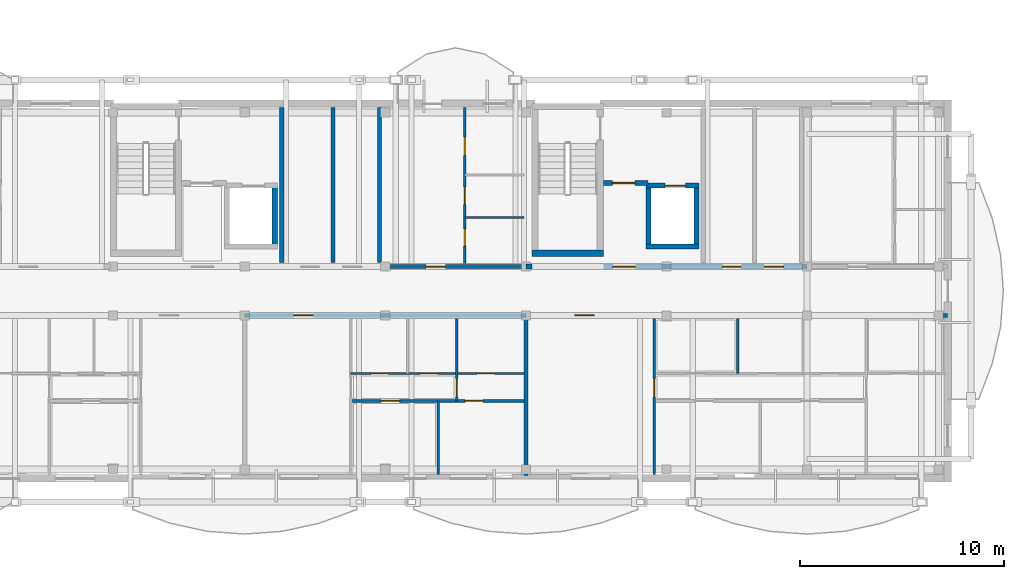
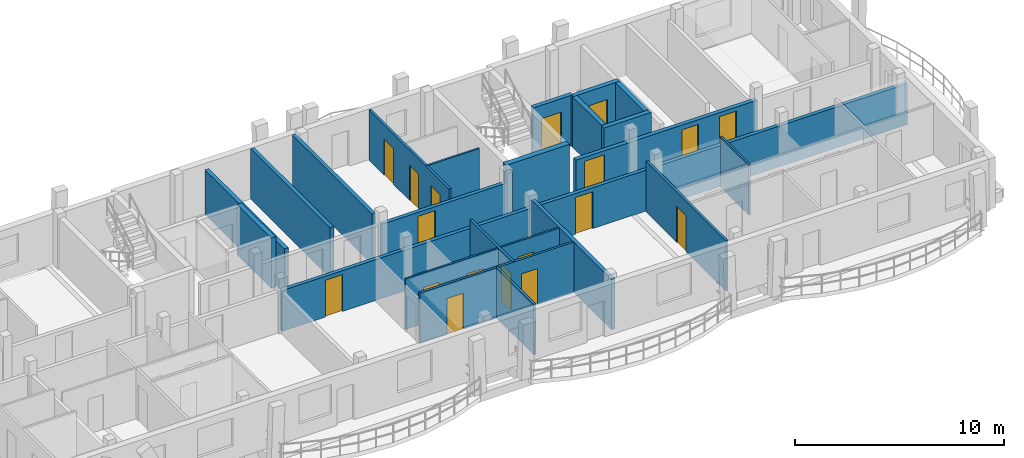
# One storey, part 32 of 52: 24 walls, 18 doors, 18 openings.
"""IFC4 building model written with IfcOpenShell, lengths in metres."""

from ifc_helpers import new_model, si_unit, direction, frame, frame_2d, origin, origin_with_axes, place, context, subcontext, project, spatial, rectangle, extrude, material, layer, layer_set, type_object, element, fill, save


model = new_model("IFC4")

# Units and contexts
model_context = context("Model", 3, precision=1e-05, world=origin(), true_north=direction((0.0, 1.0)))
body_context = subcontext(model_context, "Body", "Model", "MODEL_VIEW")
ifc_project = project(units=[si_unit("LENGTHUNIT", "METRE"), si_unit("AREAUNIT", "SQUARE_METRE"), si_unit("VOLUMEUNIT", "CUBIC_METRE"), si_unit("PLANEANGLEUNIT", "RADIAN"), si_unit("MASSUNIT", "GRAM", prefix="KILO")], contexts=[model_context])

# Site, building, storey
site_placement = place(None, origin())
site = spatial("IfcSite", under=ifc_project, at=site_placement, CompositionType="ELEMENT")
building_placement = place(site_placement, origin())
building = spatial("IfcBuilding", under=site, at=building_placement, Name="Zavelmont Quarter", CompositionType="ELEMENT")
storey_placement = place(building_placement, frame((0.0, 0.0, 14.39990234375)))
storey = spatial("IfcBuildingStorey", under=building, at=storey_placement, Name="L04", CompositionType="ELEMENT", Elevation=14.39990234375)

# Walls
ifc_material_1 = material(Name="Calcium-silicate blockwork and acoustic plaster", Category="masonry")
ifc_layer_1 = layer(ifc_material_1, 0.199951171875)
ifc_layer_set_1 = layer_set([ifc_layer_1], Name="Calcium-silicate blockwork and acoustic plaster")
wall_type_1 = type_object("IfcWallType", Name="IW01", PredefinedType="PARTITIONING", material=ifc_layer_set_1)
for number, where, z_axis, x_axis, name in (
    (1, (137.824951171875, 10.60009765625, 0.0), (0.0, 0.0, 1.0), (0.0, 1.0, 0.0), "L04 Service riser divider wall IW01"),
    (2, (140.1201171875, 10.60009765625, 0.0), (0.0, 0.0, 1.0), (0.0, 1.0, 0.0), "L04 Core service end wall IW01"),
):
    element("IfcWall", number, at=place(storey_placement, frame(where, z_axis=z_axis, x_axis=x_axis)), inside=storey, type_object=wall_type_1, Name=name, PredefinedType="PARTITIONING", context=body_context, shape_type="SweptSolid", body=[
        extrude(rectangle(XDim=7.599853515625, YDim=0.199951171875, at=frame_2d((3.7998046875, 0.0))), origin(), (0.0, 0.0, 1.0), 2.940185546875),
    ])
wall_1_placement = place(storey_placement, frame((147.300048828125, 7.85009765625, 0.0), z_axis=(0.0, 0.0, 1.0), x_axis=(0.0, -1.0, 0.0)))
element("IfcWall", 3, at=wall_1_placement, inside=storey, type_object=wall_type_1, Name="L04 Inter-dwelling compartment wall IW01", PredefinedType="PARTITIONING", context=body_context, shape_type="SweptSolid", body=[
    extrude(rectangle(XDim=7.7001953125, YDim=0.199951171875, at=frame_2d((3.85009765625, 0.0))), origin(), (0.0, 0.0, 1.0), 2.940185546875),
])

# Wall, opening, door
wall_2_placement = place(storey_placement, frame((133.5, 8.0, 0.0), z_axis=(0.0, 0.0, 1.0), x_axis=(1.0, 0.0, 0.0)))
wall_2 = element("IfcWall", 4, at=wall_2_placement, inside=storey, type_object=wall_type_1, Name="L04 Corridor compartment wall IW01", PredefinedType="PARTITIONING", context=body_context, shape_type="SweptSolid", body=[
    extrude(rectangle(XDim=13.800048828125, YDim=0.199951171875, at=frame_2d((6.89990234375, 0.0))), origin(), (0.0, 0.0, 1.0), 2.380126953125),
])
opening_1_placement = place(wall_2_placement, frame((2.39990234375, 0.0, 0.0)))
opening_1 = element("IfcOpeningElement", 5, at=opening_1_placement, cuts=wall_2, Name="Opening DR02", PredefinedType="OPENING", context=body_context, shape_type="SweptSolid", body=[
    extrude(rectangle(XDim=0.949951171875, YDim=2.14990234375, at=frame_2d((0.47509765625, 1.074951171875))), frame((0.0, 0.11181640625, 0.0), z_axis=(0.0, -1.0, 0.0), x_axis=(1.0, 0.0, 0.0)), (0.0, 0.0, 1.0), 0.223876953125),
])
ifc_material_2 = material(Name="Solid-core oak fire leaf in steel frame", Category="steel")
door_type_1 = type_object("IfcDoorType", Name="DR02", OperationType="NOTDEFINED", PredefinedType="DOOR", material=ifc_material_2)
door_1_placement = place(opening_1_placement, frame((0.949951171875, 0.0, 0.0), z_axis=(0.0, 0.0, 1.0), x_axis=(-1.0, 0.0, 0.0)))
door_1 = element("IfcDoor", 6, at=door_1_placement, inside=storey, type_object=door_type_1, Name="L04 door DR02", OperationType="SINGLE_SWING_LEFT", OverallHeight=2.14990234375, OverallWidth=0.949951171875, PredefinedType="DOOR", context=body_context, shape_type="SweptSolid", body=[
    extrude(rectangle(XDim=0.949951171875, YDim=2.14990234375, at=frame_2d((0.47509765625, 1.074951171875))), frame((0.0, 0.02490234375, 0.0), z_axis=(0.0, -1.0, 0.0), x_axis=(1.0, 0.0, 0.0)), (0.0, 0.0, 1.0), 0.050048828125),
])
fill(opening_1, door_1)

wall_3_placement = place(storey_placement, frame((147.300048828125, 8.0, 0.0), z_axis=(0.0, 0.0, 1.0), x_axis=(1.0, 0.0, 0.0)))
wall_3 = element("IfcWall", 7, at=wall_3_placement, inside=storey, type_object=wall_type_1, Name="L04 Corridor compartment wall IW01", PredefinedType="PARTITIONING", context=body_context, shape_type="SweptSolid", body=[
    extrude(rectangle(XDim=20.699951171875, YDim=0.199951171875, at=frame_2d((10.35009765625, 0.0))), origin(), (0.0, 0.0, 1.0), 2.380126953125),
])
opening_2_placement = place(wall_3_placement, frame((2.39990234375, 0.0, 0.0)))
opening_2 = element("IfcOpeningElement", 8, at=opening_2_placement, cuts=wall_3, Name="Opening DR02", PredefinedType="OPENING", context=body_context, shape_type="SweptSolid", body=[
    extrude(rectangle(XDim=0.949951171875, YDim=2.14990234375, at=frame_2d((0.47509765625, 1.074951171875))), frame((0.0, 0.11181640625, 0.0), z_axis=(0.0, -1.0, 0.0), x_axis=(1.0, 0.0, 0.0)), (0.0, 0.0, 1.0), 0.223876953125),
])
door_2_placement = place(opening_2_placement, frame((0.949951171875, 0.0, 0.0), z_axis=(0.0, 0.0, 1.0), x_axis=(-1.0, 0.0, 0.0)))
door_2 = element("IfcDoor", 9, at=door_2_placement, inside=storey, type_object=door_type_1, Name="L04 door DR02", OperationType="SINGLE_SWING_RIGHT", OverallHeight=2.14990234375, OverallWidth=0.949951171875, PredefinedType="DOOR", context=body_context, shape_type="SweptSolid", body=[
    extrude(rectangle(XDim=0.949951171875, YDim=2.14990234375, at=frame_2d((0.47509765625, 1.074951171875))), frame((0.0, 0.02490234375, 0.0), z_axis=(0.0, -1.0, 0.0), x_axis=(1.0, 0.0, 0.0)), (0.0, 0.0, 1.0), 0.050048828125),
])
fill(opening_2, door_2)

wall_4_placement = place(storey_placement, frame((140.39990234375, 10.39990234375, 0.0), z_axis=(0.0, 0.0, 1.0), x_axis=(1.0, 0.0, 0.0)))
wall_4 = element("IfcWall", 10, at=wall_4_placement, inside=storey, type_object=wall_type_1, Name="L04 Corridor compartment wall IW01", PredefinedType="PARTITIONING", context=body_context, shape_type="SweptSolid", body=[
    extrude(rectangle(XDim=6.900146484375, YDim=0.199951171875, at=frame_2d((3.4501953125, 0.0))), origin(), (0.0, 0.0, 1.0), 2.380126953125),
])
opening_3_placement = place(wall_4_placement, frame((2.0, 0.0, 0.0)))
opening_3 = element("IfcOpeningElement", 11, at=opening_3_placement, cuts=wall_4, Name="Opening DR02", PredefinedType="OPENING", context=body_context, shape_type="SweptSolid", body=[
    extrude(rectangle(XDim=0.949951171875, YDim=2.14990234375, at=frame_2d((0.47509765625, 1.074951171875))), frame((0.0, 0.11181640625, 0.0), z_axis=(0.0, -1.0, 0.0), x_axis=(1.0, 0.0, 0.0)), (0.0, 0.0, 1.0), 0.223876953125),
])
door_3_placement = place(opening_3_placement, origin_with_axes())
door_3 = element("IfcDoor", 12, at=door_3_placement, inside=storey, type_object=door_type_1, Name="L04 door DR02", OperationType="SINGLE_SWING_LEFT", OverallHeight=2.14990234375, OverallWidth=0.949951171875, PredefinedType="DOOR", context=body_context, shape_type="SweptSolid", body=[
    extrude(rectangle(XDim=0.949951171875, YDim=2.14990234375, at=frame_2d((0.47509765625, 1.074951171875))), frame((0.0, 0.02490234375, 0.0), z_axis=(0.0, -1.0, 0.0), x_axis=(1.0, 0.0, 0.0)), (0.0, 0.0, 1.0), 0.050048828125),
])
fill(opening_3, door_3)

# Wall
ifc_material_3 = material(Name="Reinforced masonry fire compartment wall", Category="masonry")
ifc_layer_2 = layer(ifc_material_3, 0.22509765625)
ifc_layer_set_2 = layer_set([ifc_layer_2], Name="Reinforced masonry fire compartment wall")
wall_type_2 = type_object("IfcWallType", Name="IW02", PredefinedType="PARTITIONING", material=ifc_layer_set_2)
wall_5_placement = place(storey_placement, frame((135.31005859375, 10.60009765625, 0.0), z_axis=(0.0, 0.0, 1.0), x_axis=(0.0, 1.0, 0.0)))
element("IfcWall", 13, at=wall_5_placement, inside=storey, type_object=wall_type_2, Name="L04 Firefighting lobby enclosure wall IW02", PredefinedType="PARTITIONING", context=body_context, shape_type="SweptSolid", body=[
    extrude(rectangle(XDim=7.599853515625, YDim=0.22509765625, at=frame_2d((3.7998046875, 0.0))), origin(), (0.0, 0.0, 1.0), 2.590087890625),
])

# Wall, opening, door
wall_6_placement = place(storey_placement, frame((151.10009765625, 14.5, 0.0), z_axis=(0.0, 0.0, 1.0), x_axis=(1.0, 0.0, 0.0)))
wall_6 = element("IfcWall", 14, at=wall_6_placement, inside=storey, type_object=wall_type_2, Name="L04 Firefighting lobby threshold wall IW02", PredefinedType="PARTITIONING", context=body_context, shape_type="SweptSolid", body=[
    extrude(rectangle(XDim=2.199951171875, YDim=0.22509765625, at=frame_2d((1.10009765625, 0.0))), origin(), (0.0, 0.0, 1.0), 2.940185546875),
])
opening_4_placement = place(wall_6_placement, frame((0.449951171875, 0.0, 0.0)))
opening_4 = element("IfcOpeningElement", 15, at=opening_4_placement, cuts=wall_6, Name="Opening DR10", PredefinedType="OPENING", context=body_context, shape_type="SweptSolid", body=[
    extrude(rectangle(XDim=1.10009765625, YDim=2.14990234375, at=frame_2d((0.550048828125, 1.074951171875))), frame((0.0, 0.12451171875, 0.0), z_axis=(0.0, -1.0, 0.0), x_axis=(1.0, 0.0, 0.0)), (0.0, 0.0, 1.0), 0.2490234375),
])
ifc_material_4 = material(Name="Painted steel lobby fire door", Category="steel")
door_type_2 = type_object("IfcDoorType", Name="DR10", OperationType="NOTDEFINED", PredefinedType="DOOR", material=ifc_material_4)
door_4_placement = place(opening_4_placement, origin_with_axes())
door_4 = element("IfcDoor", 16, at=door_4_placement, inside=storey, type_object=door_type_2, Name="Firefighting lobby fire door", OperationType="SINGLE_SWING_LEFT", OverallHeight=2.14990234375, OverallWidth=1.10009765625, PredefinedType="DOOR", context=body_context, shape_type="SweptSolid", body=[
    extrude(rectangle(XDim=1.10009765625, YDim=2.14990234375, at=frame_2d((0.550048828125, 1.074951171875))), frame((0.0, 0.02490234375, 0.0), z_axis=(0.0, -1.0, 0.0), x_axis=(1.0, 0.0, 0.0)), (0.0, 0.0, 1.0), 0.050048828125),
])
fill(opening_4, door_4)

# Wall
wall_7_placement = place(storey_placement, frame((147.300048828125, 10.39990234375, 0.0), z_axis=(0.0, 0.0, 1.0), x_axis=(1.0, 0.0, 0.0)))
element("IfcWall", 17, at=wall_7_placement, inside=storey, type_object=wall_type_2, Name="L04 Core corridor wall IW02", PredefinedType="PARTITIONING", context=body_context, shape_type="SweptSolid", body=[
    extrude(rectangle(XDim=0.300048828125, YDim=0.22509765625, at=frame_2d((0.14990234375, 0.0))), origin(), (0.0, 0.0, 1.0), 2.940185546875),
])

# Wall, openings, doors
wall_8_placement = place(storey_placement, frame((151.10009765625, 10.39990234375, 0.0), z_axis=(0.0, 0.0, 1.0), x_axis=(1.0, 0.0, 0.0)))
wall_8 = element("IfcWall", 18, at=wall_8_placement, inside=storey, type_object=wall_type_2, Name="L04 Core corridor fire wall IW02", PredefinedType="PARTITIONING", context=body_context, shape_type="SweptSolid", body=[
    extrude(rectangle(XDim=10.0, YDim=0.22509765625, at=frame_2d((5.0, 0.0))), origin(), (0.0, 0.0, 1.0), 2.380126953125),
])
opening_5_placement = place(wall_8_placement, frame((0.47509765625, 0.0, 0.0)))
opening_5 = element("IfcOpeningElement", 19, at=opening_5_placement, cuts=wall_8, Name="Opening DR10", PredefinedType="OPENING", context=body_context, shape_type="SweptSolid", body=[
    extrude(rectangle(XDim=1.10009765625, YDim=2.14990234375, at=frame_2d((0.550048828125, 1.074951171875))), frame((0.0, 0.12451171875, 0.0), z_axis=(0.0, -1.0, 0.0), x_axis=(1.0, 0.0, 0.0)), (0.0, 0.0, 1.0), 0.2490234375),
])
opening_6_placement = place(wall_8_placement, frame((5.85009765625, 0.0, 0.0)))
opening_6 = element("IfcOpeningElement", 20, at=opening_6_placement, cuts=wall_8, Name="Opening DR11", PredefinedType="OPENING", context=body_context, shape_type="SweptSolid", body=[
    extrude(rectangle(XDim=0.89990234375, YDim=2.10009765625, at=frame_2d((0.449951171875, 1.050048828125))), frame((0.0, 0.12451171875, 0.0), z_axis=(0.0, -1.0, 0.0), x_axis=(1.0, 0.0, 0.0)), (0.0, 0.0, 1.0), 0.2490234375),
])
opening_7_placement = place(wall_8_placement, frame((7.89990234375, 0.0, 0.0)))
opening_7 = element("IfcOpeningElement", 21, at=opening_7_placement, cuts=wall_8, Name="Opening DR02", PredefinedType="OPENING", context=body_context, shape_type="SweptSolid", body=[
    extrude(rectangle(XDim=0.949951171875, YDim=2.14990234375, at=frame_2d((0.47509765625, 1.074951171875))), frame((0.0, 0.12451171875, 0.0), z_axis=(0.0, -1.0, 0.0), x_axis=(1.0, 0.0, 0.0)), (0.0, 0.0, 1.0), 0.2490234375),
])
door_5_placement = place(opening_7_placement, frame((0.949951171875, 0.0, 0.0), z_axis=(0.0, 0.0, 1.0), x_axis=(-1.0, 0.0, 0.0)))
door_5 = element("IfcDoor", 22, at=door_5_placement, inside=storey, type_object=door_type_1, Name="Auxiliary store corridor door", OperationType="SINGLE_SWING_RIGHT", OverallHeight=2.14990234375, OverallWidth=0.949951171875, PredefinedType="DOOR", context=body_context, shape_type="SweptSolid", body=[
    extrude(rectangle(XDim=0.949951171875, YDim=2.14990234375, at=frame_2d((0.47509765625, 1.074951171875))), frame((0.0, 0.02490234375, 0.0), z_axis=(0.0, -1.0, 0.0), x_axis=(1.0, 0.0, 0.0)), (0.0, 0.0, 1.0), 0.050048828125),
])
fill(opening_7, door_5)
door_6_placement = place(opening_5_placement, origin_with_axes())
door_6 = element("IfcDoor", 23, at=door_6_placement, inside=storey, type_object=door_type_2, Name="Core vestibule fire door", OperationType="SINGLE_SWING_RIGHT", OverallHeight=2.14990234375, OverallWidth=1.10009765625, PredefinedType="DOOR", context=body_context, shape_type="SweptSolid", body=[
    extrude(rectangle(XDim=1.10009765625, YDim=2.14990234375, at=frame_2d((0.550048828125, 1.074951171875))), frame((0.0, 0.02490234375, 0.0), z_axis=(0.0, -1.0, 0.0), x_axis=(1.0, 0.0, 0.0)), (0.0, 0.0, 1.0), 0.050048828125),
])
fill(opening_5, door_6)
ifc_material_5 = material(Name="Painted steel service-riser fire door", Category="steel")
door_type_3 = type_object("IfcDoorType", Name="DR11", OperationType="NOTDEFINED", PredefinedType="DOOR", material=ifc_material_5)
door_7_placement = place(opening_6_placement, frame((0.89990234375, 0.0, 0.0), z_axis=(0.0, 0.0, 1.0), x_axis=(-1.0, 0.0, 0.0)))
door_7 = element("IfcDoor", 24, at=door_7_placement, inside=storey, type_object=door_type_3, Name="Service riser fire door", OperationType="SINGLE_SWING_LEFT", OverallHeight=2.10009765625, OverallWidth=0.89990234375, PredefinedType="DOOR", context=body_context, shape_type="SweptSolid", body=[
    extrude(rectangle(XDim=0.89990234375, YDim=2.10009765625, at=frame_2d((0.449951171875, 1.050048828125))), frame((0.0, 0.02490234375, 0.0), z_axis=(0.0, -1.0, 0.0), x_axis=(1.0, 0.0, 0.0)), (0.0, 0.0, 1.0), 0.050048828125),
])
fill(opening_6, door_7)

# Wall, opening, door
ifc_material_6 = material(Name="Double gypsum board on acoustic steel stud", Category="steel")
ifc_layer_3 = layer(ifc_material_6, 0.125)
ifc_layer_set_3 = layer_set([ifc_layer_3], Name="Double gypsum board on acoustic steel stud")
wall_type_3 = type_object("IfcWallType", Name="IW03", PredefinedType="PARTITIONING", material=ifc_layer_set_3)
wall_9_placement = place(storey_placement, frame((143.89990234375, 7.85009765625, 0.0), z_axis=(0.0, 0.0, 1.0), x_axis=(0.0, -1.0, 0.0)))
wall_9 = element("IfcWall", 25, at=wall_9_placement, inside=storey, type_object=wall_type_3, Name="L04 Partition IW03", PredefinedType="PARTITIONING", context=body_context, shape_type="SweptSolid", body=[
    extrude(rectangle(XDim=4.050048828125, YDim=0.125, at=frame_2d((2.02490234375, 0.0))), origin(), (0.0, 0.0, 1.0), 2.940185546875),
])
opening_8_placement = place(wall_9_placement, frame((2.949951171875, 0.0, 0.0)))
opening_8 = element("IfcOpeningElement", 26, at=opening_8_placement, cuts=wall_9, Name="Opening DR05", PredefinedType="OPENING", context=body_context, shape_type="SweptSolid", body=[
    extrude(rectangle(XDim=0.89990234375, YDim=2.10009765625, at=frame_2d((0.449951171875, 1.050048828125))), frame((0.0, 0.074462890625, 0.0), z_axis=(0.0, -1.0, 0.0), x_axis=(1.0, 0.0, 0.0)), (0.0, 0.0, 1.0), 0.14892578125),
])
ifc_material_7 = material(Name="Engineered oak flush interior door")
door_type_4 = type_object("IfcDoorType", Name="DR05", OperationType="NOTDEFINED", PredefinedType="DOOR", material=ifc_material_7)
door_8_placement = place(opening_8_placement, origin_with_axes())
door_8 = element("IfcDoor", 27, at=door_8_placement, inside=storey, type_object=door_type_4, Name="L04 door DR05", OperationType="SINGLE_SWING_RIGHT", OverallHeight=2.10009765625, OverallWidth=0.89990234375, PredefinedType="DOOR", context=body_context, shape_type="SweptSolid", body=[
    extrude(rectangle(XDim=0.89990234375, YDim=2.10009765625, at=frame_2d((0.449951171875, 1.050048828125))), frame((0.0, 0.02490234375, 0.0), z_axis=(0.0, -1.0, 0.0), x_axis=(1.0, 0.0, 0.0)), (0.0, 0.0, 1.0), 0.050048828125),
])
fill(opening_8, door_8)

# Wall
wall_10_placement = place(storey_placement, frame((143.0, 3.800048828125, 0.0), z_axis=(0.0, 0.0, 1.0), x_axis=(0.0, -1.0, 0.0)))
element("IfcWall", 28, at=wall_10_placement, inside=storey, type_object=wall_type_3, Name="L04 Partition IW03", PredefinedType="PARTITIONING", context=body_context, shape_type="SweptSolid", body=[
    extrude(rectangle(XDim=3.60009765625, YDim=0.125, at=frame_2d((1.800048828125, 0.0))), origin(), (0.0, 0.0, 1.0), 2.940185546875),
])

# Wall, openings, doors
wall_11_placement = place(storey_placement, frame((138.699951171875, 3.800048828125, 0.0), z_axis=(0.0, 0.0, 1.0), x_axis=(1.0, 0.0, 0.0)))
wall_11 = element("IfcWall", 29, at=wall_11_placement, inside=storey, type_object=wall_type_3, Name="L04 Partition IW03", PredefinedType="PARTITIONING", context=body_context, shape_type="SweptSolid", body=[
    extrude(rectangle(XDim=8.5, YDim=0.125, at=frame_2d((4.25, 0.0))), origin(), (0.0, 0.0, 1.0), 2.940185546875),
])
opening_9_placement = place(wall_11_placement, frame((1.5, 0.0, 0.0)))
opening_9 = element("IfcOpeningElement", 30, at=opening_9_placement, cuts=wall_11, Name="Opening DR05", PredefinedType="OPENING", context=body_context, shape_type="SweptSolid", body=[
    extrude(rectangle(XDim=0.89990234375, YDim=2.10009765625, at=frame_2d((0.449951171875, 1.050048828125))), frame((0.0, 0.074462890625, 0.0), z_axis=(0.0, -1.0, 0.0), x_axis=(1.0, 0.0, 0.0)), (0.0, 0.0, 1.0), 0.14892578125),
])
opening_10_placement = place(wall_11_placement, frame((5.60009765625, 0.0, 0.0)))
opening_10 = element("IfcOpeningElement", 31, at=opening_10_placement, cuts=wall_11, Name="Opening DR05", PredefinedType="OPENING", context=body_context, shape_type="SweptSolid", body=[
    extrude(rectangle(XDim=0.89990234375, YDim=2.10009765625, at=frame_2d((0.449951171875, 1.050048828125))), frame((0.0, 0.074462890625, 0.0), z_axis=(0.0, -1.0, 0.0), x_axis=(1.0, 0.0, 0.0)), (0.0, 0.0, 1.0), 0.14892578125),
])
door_9_placement = place(opening_9_placement, origin_with_axes())
door_9 = element("IfcDoor", 32, at=door_9_placement, inside=storey, type_object=door_type_4, Name="L04 door DR05", OperationType="SINGLE_SWING_RIGHT", OverallHeight=2.10009765625, OverallWidth=0.89990234375, PredefinedType="DOOR", context=body_context, shape_type="SweptSolid", body=[
    extrude(rectangle(XDim=0.89990234375, YDim=2.10009765625, at=frame_2d((0.449951171875, 1.050048828125))), frame((0.0, 0.02490234375, 0.0), z_axis=(0.0, -1.0, 0.0), x_axis=(1.0, 0.0, 0.0)), (0.0, 0.0, 1.0), 0.050048828125),
])
fill(opening_9, door_9)
door_10_placement = place(opening_10_placement, frame((0.89990234375, 0.0, 0.0), z_axis=(0.0, 0.0, 1.0), x_axis=(-1.0, 0.0, 0.0)))
door_10 = element("IfcDoor", 33, at=door_10_placement, inside=storey, type_object=door_type_4, Name="L04 door DR05", OperationType="SINGLE_SWING_LEFT", OverallHeight=2.10009765625, OverallWidth=0.89990234375, PredefinedType="DOOR", context=body_context, shape_type="SweptSolid", body=[
    extrude(rectangle(XDim=0.89990234375, YDim=2.10009765625, at=frame_2d((0.449951171875, 1.050048828125))), frame((0.0, 0.02490234375, 0.0), z_axis=(0.0, -1.0, 0.0), x_axis=(1.0, 0.0, 0.0)), (0.0, 0.0, 1.0), 0.050048828125),
])
fill(opening_10, door_10)

# Wall, opening, door
wall_12_placement = place(storey_placement, frame((153.60009765625, 7.85009765625, 0.0), z_axis=(0.0, 0.0, 1.0), x_axis=(0.0, -1.0, 0.0)))
wall_12 = element("IfcWall", 34, at=wall_12_placement, inside=storey, type_object=wall_type_3, Name="L04 Partition IW03", PredefinedType="PARTITIONING", context=body_context, shape_type="SweptSolid", body=[
    extrude(rectangle(XDim=7.650146484375, YDim=0.125, at=frame_2d((3.8251953125, 0.0))), origin(), (0.0, 0.0, 1.0), 2.940185546875),
])
opening_11_placement = place(wall_12_placement, frame((2.949951171875, 0.0, 0.0)))
opening_11 = element("IfcOpeningElement", 35, at=opening_11_placement, cuts=wall_12, Name="Opening DR05", PredefinedType="OPENING", context=body_context, shape_type="SweptSolid", body=[
    extrude(rectangle(XDim=0.89990234375, YDim=2.10009765625, at=frame_2d((0.449951171875, 1.050048828125))), frame((0.0, 0.074462890625, 0.0), z_axis=(0.0, -1.0, 0.0), x_axis=(1.0, 0.0, 0.0)), (0.0, 0.0, 1.0), 0.14892578125),
])
door_11_placement = place(opening_11_placement, frame((0.89990234375, 0.0, 0.0), z_axis=(0.0, 0.0, 1.0), x_axis=(-1.0, 0.0, 0.0)))
door_11 = element("IfcDoor", 36, at=door_11_placement, inside=storey, type_object=door_type_4, Name="L04 door DR05", OperationType="SINGLE_SWING_RIGHT", OverallHeight=2.10009765625, OverallWidth=0.89990234375, PredefinedType="DOOR", context=body_context, shape_type="SweptSolid", body=[
    extrude(rectangle(XDim=0.89990234375, YDim=2.10009765625, at=frame_2d((0.449951171875, 1.050048828125))), frame((0.0, 0.02490234375, 0.0), z_axis=(0.0, -1.0, 0.0), x_axis=(1.0, 0.0, 0.0)), (0.0, 0.0, 1.0), 0.050048828125),
])
fill(opening_11, door_11)

# Wall, openings, doors
wall_13_placement = place(storey_placement, frame((144.300048828125, 10.550048828125, 0.0), z_axis=(0.0, 0.0, 1.0), x_axis=(0.0, 1.0, 0.0)))
wall_13 = element("IfcWall", 37, at=wall_13_placement, inside=storey, type_object=wall_type_3, Name="L04 Partition IW03", PredefinedType="PARTITIONING", context=body_context, shape_type="SweptSolid", body=[
    extrude(rectangle(XDim=7.64990234375, YDim=0.125, at=frame_2d((3.824951171875, 0.0))), origin(), (0.0, 0.0, 1.0), 2.940185546875),
])
opening_12_placement = place(wall_13_placement, frame((0.85009765625, 0.0, 0.0)))
opening_12 = element("IfcOpeningElement", 38, at=opening_12_placement, cuts=wall_13, Name="Opening DR16", PredefinedType="OPENING", context=body_context, shape_type="SweptSolid", body=[
    extrude(rectangle(XDim=0.85009765625, YDim=2.10009765625, at=frame_2d((0.425048828125, 1.050048828125))), frame((0.0, 0.074462890625, 0.0), z_axis=(0.0, -1.0, 0.0), x_axis=(1.0, 0.0, 0.0)), (0.0, 0.0, 1.0), 0.14892578125),
])
opening_13_placement = place(wall_13_placement, frame((2.89990234375, 0.0, 0.0)))
opening_13 = element("IfcOpeningElement", 39, at=opening_13_placement, cuts=wall_13, Name="Opening DR06", PredefinedType="OPENING", context=body_context, shape_type="SweptSolid", body=[
    extrude(rectangle(XDim=0.85009765625, YDim=2.050048828125, at=frame_2d((0.425048828125, 1.02490234375))), frame((0.0, 0.074462890625, 0.0), z_axis=(0.0, -1.0, 0.0), x_axis=(1.0, 0.0, 0.0)), (0.0, 0.0, 1.0), 0.14892578125),
])
opening_14_placement = place(wall_13_placement, frame((5.300048828125, 0.0, 0.0)))
opening_14 = element("IfcOpeningElement", 40, at=opening_14_placement, cuts=wall_13, Name="Opening DR05", PredefinedType="OPENING", context=body_context, shape_type="SweptSolid", body=[
    extrude(rectangle(XDim=0.89990234375, YDim=2.10009765625, at=frame_2d((0.449951171875, 1.050048828125))), frame((0.0, 0.074462890625, 0.0), z_axis=(0.0, -1.0, 0.0), x_axis=(1.0, 0.0, 0.0)), (0.0, 0.0, 1.0), 0.14892578125),
])
door_12_placement = place(opening_14_placement, frame((0.89990234375, 0.0, 0.0), z_axis=(0.0, 0.0, 1.0), x_axis=(-1.0, 0.0, 0.0)))
door_12 = element("IfcDoor", 41, at=door_12_placement, inside=storey, type_object=door_type_4, Name="L04 door DR05", OperationType="SINGLE_SWING_LEFT", OverallHeight=2.10009765625, OverallWidth=0.89990234375, PredefinedType="DOOR", context=body_context, shape_type="SweptSolid", body=[
    extrude(rectangle(XDim=0.89990234375, YDim=2.10009765625, at=frame_2d((0.449951171875, 1.050048828125))), frame((0.0, 0.02490234375, 0.0), z_axis=(0.0, -1.0, 0.0), x_axis=(1.0, 0.0, 0.0)), (0.0, 0.0, 1.0), 0.050048828125),
])
fill(opening_14, door_12)
ifc_material_8 = material(Name="Moisture-resistant painted wet-room door")
door_type_5 = type_object("IfcDoorType", Name="DR06", OperationType="NOTDEFINED", PredefinedType="DOOR", material=ifc_material_8)
door_13_placement = place(opening_13_placement, origin_with_axes())
door_13 = element("IfcDoor", 42, at=door_13_placement, inside=storey, type_object=door_type_5, Name="L04 door DR06", OperationType="SINGLE_SWING_RIGHT", OverallHeight=2.050048828125, OverallWidth=0.85009765625, PredefinedType="DOOR", context=body_context, shape_type="SweptSolid", body=[
    extrude(rectangle(XDim=0.85009765625, YDim=2.050048828125, at=frame_2d((0.425048828125, 1.02490234375))), frame((0.0, 0.02490234375, 0.0), z_axis=(0.0, -1.0, 0.0), x_axis=(1.0, 0.0, 0.0)), (0.0, 0.0, 1.0), 0.050048828125),
])
fill(opening_13, door_13)
door_type_6 = type_object("IfcDoorType", Name="DR16", OperationType="NOTDEFINED", PredefinedType="DOOR", material=ifc_material_7)
door_14_placement = place(opening_12_placement, frame((0.85009765625, 0.0, 0.0), z_axis=(0.0, 0.0, 1.0), x_axis=(-1.0, 0.0, 0.0)))
door_14 = element("IfcDoor", 43, at=door_14_placement, inside=storey, type_object=door_type_6, Name="L04 door DR16", OperationType="SINGLE_SWING_LEFT", OverallHeight=2.10009765625, OverallWidth=0.85009765625, PredefinedType="DOOR", context=body_context, shape_type="SweptSolid", body=[
    extrude(rectangle(XDim=0.85009765625, YDim=2.10009765625, at=frame_2d((0.425048828125, 1.050048828125))), frame((0.0, 0.02490234375, 0.0), z_axis=(0.0, -1.0, 0.0), x_axis=(1.0, 0.0, 0.0)), (0.0, 0.0, 1.0), 0.050048828125),
])
fill(opening_12, door_14)

ifc_material_9 = material(Name="Moisture-resistant gypsum board on steel stud", Category="steel")
ifc_layer_4 = layer(ifc_material_9, 0.10009765625)
ifc_layer_set_4 = layer_set([ifc_layer_4], Name="Moisture-resistant gypsum board on steel stud")
wall_type_4 = type_object("IfcWallType", Name="IW04", PredefinedType="PARTITIONING", material=ifc_layer_set_4)
wall_14_placement = place(storey_placement, frame((138.699951171875, 5.14990234375, 0.0), z_axis=(0.0, 0.0, 1.0), x_axis=(1.0, 0.0, 0.0)))
wall_14 = element("IfcWall", 44, at=wall_14_placement, inside=storey, type_object=wall_type_4, Name="L04 Partition IW04", PredefinedType="PARTITIONING", context=body_context, shape_type="SweptSolid", body=[
    extrude(rectangle(XDim=8.5, YDim=0.10009765625, at=frame_2d((4.25, 0.0))), origin(), (0.0, 0.0, 1.0), 2.940185546875),
])
opening_15_placement = place(wall_14_placement, frame((1.0, 0.0, 0.0)))
opening_15 = element("IfcOpeningElement", 45, at=opening_15_placement, cuts=wall_14, Name="Opening DR16", PredefinedType="OPENING", context=body_context, shape_type="SweptSolid", body=[
    extrude(rectangle(XDim=0.85009765625, YDim=2.10009765625, at=frame_2d((0.425048828125, 1.050048828125))), frame((0.0, 0.06201171875, 0.0), z_axis=(0.0, -1.0, 0.0), x_axis=(1.0, 0.0, 0.0)), (0.0, 0.0, 1.0), 0.1240234375),
])
opening_16_placement = place(wall_14_placement, frame((3.39990234375, 0.0, 0.0)))
opening_16 = element("IfcOpeningElement", 46, at=opening_16_placement, cuts=wall_14, Name="Opening DR06", PredefinedType="OPENING", context=body_context, shape_type="SweptSolid", body=[
    extrude(rectangle(XDim=0.85009765625, YDim=2.050048828125, at=frame_2d((0.425048828125, 1.02490234375))), frame((0.0, 0.06201171875, 0.0), z_axis=(0.0, -1.0, 0.0), x_axis=(1.0, 0.0, 0.0)), (0.0, 0.0, 1.0), 0.1240234375),
])
opening_17_placement = place(wall_14_placement, frame((6.199951171875, 0.0, 0.0)))
opening_17 = element("IfcOpeningElement", 47, at=opening_17_placement, cuts=wall_14, Name="Opening DR06", PredefinedType="OPENING", context=body_context, shape_type="SweptSolid", body=[
    extrude(rectangle(XDim=0.85009765625, YDim=2.050048828125, at=frame_2d((0.425048828125, 1.02490234375))), frame((0.0, 0.06201171875, 0.0), z_axis=(0.0, -1.0, 0.0), x_axis=(1.0, 0.0, 0.0)), (0.0, 0.0, 1.0), 0.1240234375),
])
door_15_placement = place(opening_16_placement, origin_with_axes())
door_15 = element("IfcDoor", 48, at=door_15_placement, inside=storey, type_object=door_type_5, Name="L04 door DR06", OperationType="SINGLE_SWING_RIGHT", OverallHeight=2.050048828125, OverallWidth=0.85009765625, PredefinedType="DOOR", context=body_context, shape_type="SweptSolid", body=[
    extrude(rectangle(XDim=0.85009765625, YDim=2.050048828125, at=frame_2d((0.425048828125, 1.02490234375))), frame((0.0, 0.02490234375, 0.0), z_axis=(0.0, -1.0, 0.0), x_axis=(1.0, 0.0, 0.0)), (0.0, 0.0, 1.0), 0.050048828125),
])
fill(opening_16, door_15)
door_16_placement = place(opening_17_placement, frame((0.85009765625, 0.0, 0.0), z_axis=(0.0, 0.0, 1.0), x_axis=(-1.0, 0.0, 0.0)))
door_16 = element("IfcDoor", 49, at=door_16_placement, inside=storey, type_object=door_type_5, Name="L04 door DR06", OperationType="SINGLE_SWING_LEFT", OverallHeight=2.050048828125, OverallWidth=0.85009765625, PredefinedType="DOOR", context=body_context, shape_type="SweptSolid", body=[
    extrude(rectangle(XDim=0.85009765625, YDim=2.050048828125, at=frame_2d((0.425048828125, 1.02490234375))), frame((0.0, 0.02490234375, 0.0), z_axis=(0.0, -1.0, 0.0), x_axis=(1.0, 0.0, 0.0)), (0.0, 0.0, 1.0), 0.050048828125),
])
fill(opening_17, door_16)
door_17_placement = place(opening_15_placement, frame((0.85009765625, 0.0, 0.0), z_axis=(0.0, 0.0, 1.0), x_axis=(-1.0, 0.0, 0.0)))
door_17 = element("IfcDoor", 50, at=door_17_placement, inside=storey, type_object=door_type_6, Name="L04 door DR16", OperationType="SINGLE_SWING_LEFT", OverallHeight=2.10009765625, OverallWidth=0.85009765625, PredefinedType="DOOR", context=body_context, shape_type="SweptSolid", body=[
    extrude(rectangle(XDim=0.85009765625, YDim=2.10009765625, at=frame_2d((0.425048828125, 1.050048828125))), frame((0.0, 0.02490234375, 0.0), z_axis=(0.0, -1.0, 0.0), x_axis=(1.0, 0.0, 0.0)), (0.0, 0.0, 1.0), 0.050048828125),
])
fill(opening_15, door_17)

# Walls
wall_15_placement = place(storey_placement, frame((157.699951171875, 7.85009765625, 0.0), z_axis=(0.0, 0.0, 1.0), x_axis=(0.0, -1.0, 0.0)))
element("IfcWall", 51, at=wall_15_placement, inside=storey, type_object=wall_type_4, Name="L04 Partition IW04", PredefinedType="PARTITIONING", context=body_context, shape_type="SweptSolid", body=[
    extrude(rectangle(XDim=2.7001953125, YDim=0.10009765625, at=frame_2d((1.35009765625, 0.0))), origin(), (0.0, 0.0, 1.0), 2.940185546875),
])
wall_16_placement = place(storey_placement, frame((144.300048828125, 12.800048828125, 0.0), z_axis=(0.0, 0.0, 1.0), x_axis=(1.0, 0.0, 0.0)))
element("IfcWall", 52, at=wall_16_placement, inside=storey, type_object=wall_type_4, Name="L04 Partition IW04", PredefinedType="PARTITIONING", context=body_context, shape_type="SweptSolid", body=[
    extrude(rectangle(XDim=2.89990234375, YDim=0.10009765625, at=frame_2d((1.449951171875, 0.0))), origin(), (0.0, 0.0, 1.0), 2.940185546875),
])
ifc_material_10 = material(Name="Concrete C40/50", Category="concrete")
ifc_layer_5 = layer(ifc_material_10, 0.300048828125)
ifc_layer_set_5 = layer_set([ifc_layer_5], Name="Concrete C40/50")
wall_type_5 = type_object("IfcWallType", Name="SW01", PredefinedType="SHEAR", material=ifc_layer_set_5)
wall_17_placement = place(storey_placement, frame((147.60009765625, 11.050048828125, 0.0), z_axis=(0.0, 0.0, 1.0), x_axis=(1.0, 0.0, 0.0)))
element("IfcWall", 53, at=wall_17_placement, inside=storey, type_object=wall_type_5, Name="L04 ST08 corridor shear wall SW01", PredefinedType="SHEAR", context=body_context, shape_type="SweptSolid", body=[
    extrude(rectangle(XDim=3.5, YDim=0.300048828125, at=frame_2d((1.75, 0.0))), origin(), (0.0, 0.0, 1.0), 2.940185546875),
])
ifc_layer_6 = layer(ifc_material_10, 0.25)
ifc_layer_set_6 = layer_set([ifc_layer_6], Name="Concrete C40/50")
wall_type_6 = type_object("IfcWallType", Name="SW02", PredefinedType="SHEAR", material=ifc_layer_set_6)
wall_18_placement = place(storey_placement, frame((134.97509765625, 11.25, 0.0), z_axis=(0.0, 0.0, 1.0), x_axis=(0.0, 1.0, 0.0)))
element("IfcWall", 54, at=wall_18_placement, inside=storey, type_object=wall_type_6, Name="L04 Lift FL04 east shaft wall SW02", PredefinedType="SHEAR", context=body_context, shape_type="SweptSolid", body=[
    extrude(rectangle(XDim=3.25, YDim=0.25, at=frame_2d((1.625, 0.0))), origin(), (0.0, 0.0, 1.0), 2.940185546875),
])

# Wall, opening, door
wall_19_placement = place(storey_placement, frame((153.199951171875, 14.375, 0.0), z_axis=(0.0, 0.0, 1.0), x_axis=(1.0, 0.0, 0.0)))
wall_19 = element("IfcWall", 55, at=wall_19_placement, inside=storey, type_object=wall_type_6, Name="L04 Lift LF08 landing shaft wall SW02", PredefinedType="SHEAR", context=body_context, shape_type="SweptSolid", body=[
    extrude(rectangle(XDim=2.60009765625, YDim=0.25, at=frame_2d((1.300048828125, 0.0))), origin(), (0.0, 0.0, 1.0), 2.940185546875),
])
opening_18_placement = place(wall_19_placement, frame((0.925048828125, 0.0, 0.0)))
opening_18 = element("IfcOpeningElement", 56, at=opening_18_placement, cuts=wall_19, Name="Opening LD01", PredefinedType="OPENING", context=body_context, shape_type="SweptSolid", body=[
    extrude(rectangle(XDim=1.0, YDim=2.10009765625, at=frame_2d((0.5, 1.050048828125))), frame((0.0, 0.136962890625, 0.0), z_axis=(0.0, -1.0, 0.0), x_axis=(1.0, 0.0, 0.0)), (0.0, 0.0, 1.0), 0.27392578125),
])
ifc_material_11 = material(Name="Brushed stainless-steel automatic sliding landing door", Category="steel")
door_type_7 = type_object("IfcDoorType", Name="LD01", OperationType="SLIDING_TO_LEFT", PredefinedType="DOOR", material=ifc_material_11)
door_18_placement = place(opening_18_placement, origin_with_axes())
door_18 = element("IfcDoor", 57, at=door_18_placement, inside=storey, type_object=door_type_7, Name="Lift LF08 sliding landing door", OperationType="SLIDING_TO_LEFT", OverallHeight=2.10009765625, OverallWidth=1.0, PredefinedType="DOOR", context=body_context, shape_type="SweptSolid", body=[
    extrude(rectangle(XDim=1.0, YDim=2.10009765625, at=frame_2d((0.5, 1.050048828125))), frame((0.0, 0.02490234375, 0.0), z_axis=(0.0, -1.0, 0.0), x_axis=(1.0, 0.0, 0.0)), (0.0, 0.0, 1.0), 0.050048828125),
])
fill(opening_18, door_18)

# Walls
wall_20_placement = place(storey_placement, frame((153.199951171875, 11.375, 0.0), z_axis=(0.0, 0.0, 1.0), x_axis=(1.0, 0.0, 0.0)))
element("IfcWall", 58, at=wall_20_placement, inside=storey, type_object=wall_type_6, Name="L04 Lift LF08 back shaft wall SW02", PredefinedType="SHEAR", context=body_context, shape_type="SweptSolid", body=[
    extrude(rectangle(XDim=2.60009765625, YDim=0.25, at=frame_2d((1.300048828125, 0.0))), origin(), (0.0, 0.0, 1.0), 2.940185546875),
])
for number, where, z_axis, x_axis, name in (
    (59, (153.324951171875, 11.25, 0.0), (0.0, 0.0, 1.0), (0.0, 1.0, 0.0), "L04 Lift LF08 west shaft wall SW02"),
    (60, (155.675048828125, 11.25, 0.0), (0.0, 0.0, 1.0), (0.0, 1.0, 0.0), "L04 Lift LF08 east shaft wall SW02"),
):
    element("IfcWall", number, at=place(storey_placement, frame(where, z_axis=z_axis, x_axis=x_axis)), inside=storey, type_object=wall_type_6, Name=name, PredefinedType="SHEAR", context=body_context, shape_type="SweptSolid", body=[
        extrude(rectangle(XDim=3.25, YDim=0.25, at=frame_2d((1.625, 0.0))), origin(), (0.0, 0.0, 1.0), 2.940185546875),
    ])

save(model, "model.ifc")
